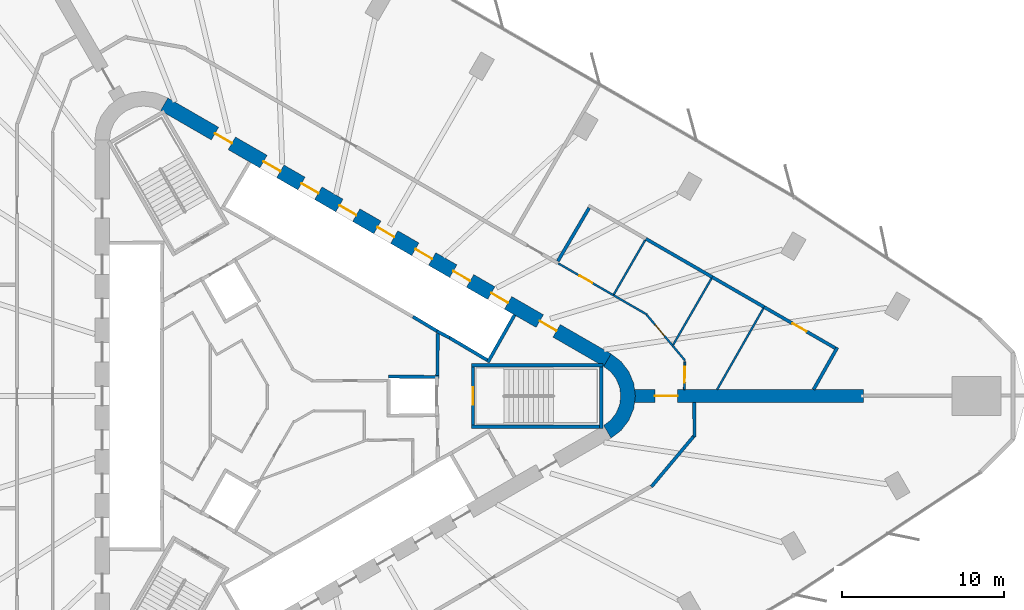
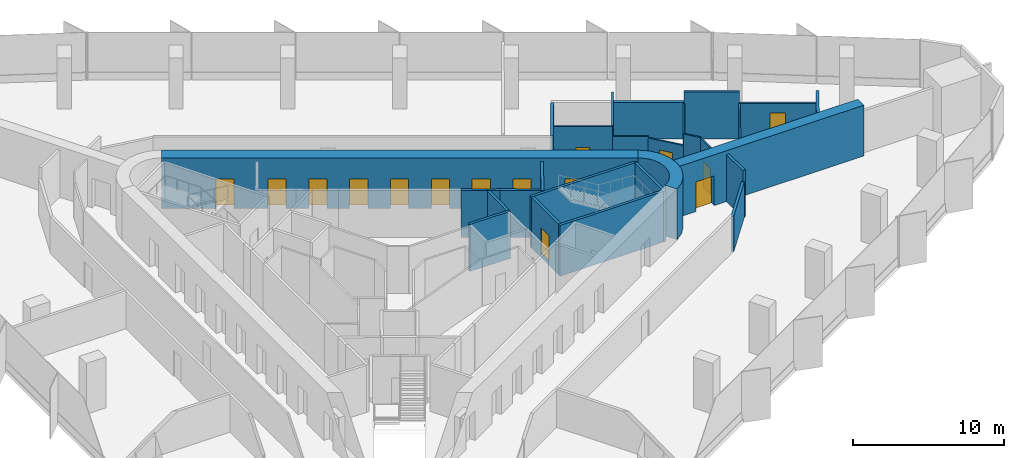
# One storey, part 12 of 14: 28 walls, 15 doors, 15 openings.
"""IFC4 building model written with IfcOpenShell, lengths in metres."""

from ifc_helpers import new_model, si_unit, direction, frame, frame_2d, origin, place, context, subcontext, project, spatial, polyline, rectangle, outline, extrude, material, layer, layer_set, type_object, element, fill, save


model = new_model("IFC4")

# Units and contexts
model_context = context("Model", 3, precision=1e-05, world=origin(), true_north=direction((0.0, 1.0)))
body_context = subcontext(model_context, "Body", "Model", "MODEL_VIEW")
ifc_project = project(units=[si_unit("LENGTHUNIT", "METRE"), si_unit("AREAUNIT", "SQUARE_METRE"), si_unit("VOLUMEUNIT", "CUBIC_METRE"), si_unit("PLANEANGLEUNIT", "RADIAN"), si_unit("MASSUNIT", "GRAM", prefix="KILO")], contexts=[model_context])

# Site, building, storey
site_placement = place(None, origin())
site = spatial("IfcSite", under=ifc_project, at=site_placement, CompositionType="ELEMENT")
building_placement = place(site_placement, origin())
building = spatial("IfcBuilding", under=site, at=building_placement, Name="Tanit Gate Tower", CompositionType="ELEMENT")
storey_placement = place(building_placement, frame((0.0, 0.0, 45.5)))
storey = spatial("IfcBuildingStorey", under=building, at=storey_placement, Name="L07", CompositionType="ELEMENT", Elevation=45.5)

# Wall, opening, door
ifc_material_1 = material(Name="Concrete C60/75", Category="concrete")
ifc_layer_1 = layer(ifc_material_1, 0.800048828125)
ifc_layer_set_1 = layer_set([ifc_layer_1], Name="BUTTRESS FIN 800 C60/75")
wall_type_1 = type_object("IfcWallType", Name="BUTTRESS FIN 800 C60/75", PredefinedType="SHEAR", material=ifc_layer_set_1)
wall_1_placement = place(storey_placement, frame((21.14990234375, 0.0, 0.0), z_axis=(0.0, 0.0, 1.0), x_axis=(1.0, 0.0, 0.0)))
wall_1 = element("IfcWall", 1, at=wall_1_placement, inside=storey, type_object=wall_type_1, Name="BUTTRESS FIN", PredefinedType="SHEAR", context=body_context, shape_type="SweptSolid", body=[
    extrude(rectangle(XDim=14.09814453125, YDim=0.800048828125, at=frame_2d((7.049072265625, 0.0))), origin(), (0.0, 0.0, 1.0), 4.10009765625),
])
opening_1_placement = place(wall_1_placement, frame((1.25, 0.0, 0.0)))
opening_1 = element("IfcOpeningElement", 2, at=opening_1_placement, cuts=wall_1, Name="Opening P14-S00-F-E-1", PredefinedType="OPENING", context=body_context, shape_type="SweptSolid", body=[
    extrude(rectangle(XDim=1.39990234375, YDim=2.39990234375, at=frame_2d((0.699951171875, 1.199951171875))), frame((0.0, 0.41015625, 0.0), z_axis=(0.0, -1.0, 0.0), x_axis=(1.0, 0.0, 0.0)), (0.0, 0.0, 1.0), 0.820068359375),
])
ifc_material_2 = material(Name="Timber door leaf", Category="wood")
door_type_1 = type_object("IfcDoorType", Name="INT-DOOR-FIN-PAIR-1400", OperationType="NOTDEFINED", PredefinedType="NOTDEFINED", material=ifc_material_2)
door_1_placement = place(opening_1_placement, origin())
door_1 = element("IfcDoor", 3, at=door_1_placement, inside=storey, type_object=door_type_1, Name="Door P14-S00-F-E-1", OperationType="DOUBLE_DOOR_SINGLE_SWING", OverallHeight=2.39990234375, OverallWidth=1.39990234375, PredefinedType="NOTDEFINED", context=body_context, shape_type="SweptSolid", body=[
    extrude(rectangle(XDim=1.39990234375, YDim=2.39990234375, at=frame_2d((0.699951171875, 1.199951171875))), frame((0.0, 0.02490234375, 0.0), z_axis=(0.0, -1.0, 0.0), x_axis=(1.0, 0.0, 0.0)), (0.0, 0.0, 1.0), 0.050048828125),
])
fill(opening_1, door_1)

# Wall, openings, doors
ifc_material_3 = material(Name="Concrete C60/75", Category="concrete")
ifc_layer_2 = layer(ifc_material_3, 0.89990234375)
ifc_layer_set_2 = layer_set([ifc_layer_2], Name="CORE WALL 900 C60/75")
wall_type_2 = type_object("IfcWallType", Name="CORE WALL 900 C60/75", PredefinedType="SHEAR", material=ifc_layer_set_2)
wall_2_placement = place(storey_placement, frame((19.47509765625, 2.20849609375, 0.0), z_axis=(0.0, 0.0, 1.0), x_axis=(-0.866028369851, 0.499994862586, 0.0)))
wall_2 = element("IfcWall", 4, at=wall_2_placement, inside=storey, type_object=wall_type_2, Name="CORE WALL", PredefinedType="SHEAR", context=body_context, shape_type="SweptSolid", body=[
    extrude(rectangle(XDim=31.523193359375, YDim=0.89990234375, at=frame_2d((15.76171875, 0.0))), origin(), (0.0, 0.0, 1.0), 4.10009765625),
])
opening_2_placement = place(wall_2_placement, frame((7.0615234375, 0.0, 0.0)))
opening_2 = element("IfcOpeningElement", 5, at=opening_2_placement, cuts=wall_2, Name="Opening LDLL8-S00", PredefinedType="OPENING", context=body_context, shape_type="SweptSolid", body=[
    extrude(rectangle(XDim=1.199951171875, YDim=2.39990234375, at=frame_2d((0.60009765625, 1.199951171875))), frame((0.0, 0.4599609375, 0.0), z_axis=(0.0, -1.0, 0.0), x_axis=(1.0, 0.0, 0.0)), (0.0, 0.0, 1.0), 0.919921875),
])
opening_3_placement = place(wall_2_placement, frame((9.76171875, 0.0, 0.0)))
opening_3 = element("IfcOpeningElement", 6, at=opening_3_placement, cuts=wall_2, Name="Opening LDLL9-S00", PredefinedType="OPENING", context=body_context, shape_type="SweptSolid", body=[
    extrude(rectangle(XDim=1.199951171875, YDim=2.39990234375, at=frame_2d((0.60009765625, 1.199951171875))), frame((0.0, 0.4599609375, 0.0), z_axis=(0.0, -1.0, 0.0), x_axis=(1.0, 0.0, 0.0)), (0.0, 0.0, 1.0), 0.919921875),
])
opening_4_placement = place(wall_2_placement, frame((12.461669921875, 0.0, 0.0)))
opening_4 = element("IfcOpeningElement", 7, at=opening_4_placement, cuts=wall_2, Name="Opening LDLL10-S00", PredefinedType="OPENING", context=body_context, shape_type="SweptSolid", body=[
    extrude(rectangle(XDim=1.199951171875, YDim=2.39990234375, at=frame_2d((0.60009765625, 1.199951171875))), frame((0.0, 0.4599609375, 0.0), z_axis=(0.0, -1.0, 0.0), x_axis=(1.0, 0.0, 0.0)), (0.0, 0.0, 1.0), 0.919921875),
])
opening_5_placement = place(wall_2_placement, frame((15.16162109375, 0.0, 0.0)))
opening_5 = element("IfcOpeningElement", 8, at=opening_5_placement, cuts=wall_2, Name="Opening LDSL1-S00", PredefinedType="OPENING", context=body_context, shape_type="SweptSolid", body=[
    extrude(rectangle(XDim=1.199951171875, YDim=2.39990234375, at=frame_2d((0.60009765625, 1.199951171875))), frame((0.0, 0.4599609375, 0.0), z_axis=(0.0, -1.0, 0.0), x_axis=(1.0, 0.0, 0.0)), (0.0, 0.0, 1.0), 0.919921875),
])
opening_6_placement = place(wall_2_placement, frame((17.861572265625, 0.0, 0.0)))
opening_6 = element("IfcOpeningElement", 9, at=opening_6_placement, cuts=wall_2, Name="Opening LDSL2-S00", PredefinedType="OPENING", context=body_context, shape_type="SweptSolid", body=[
    extrude(rectangle(XDim=1.199951171875, YDim=2.39990234375, at=frame_2d((0.60009765625, 1.199951171875))), frame((0.0, 0.4599609375, 0.0), z_axis=(0.0, -1.0, 0.0), x_axis=(1.0, 0.0, 0.0)), (0.0, 0.0, 1.0), 0.919921875),
])
opening_7_placement = place(wall_2_placement, frame((20.5615234375, 0.0, 0.0)))
opening_7 = element("IfcOpeningElement", 10, at=opening_7_placement, cuts=wall_2, Name="Opening LDSL3-S00", PredefinedType="OPENING", context=body_context, shape_type="SweptSolid", body=[
    extrude(rectangle(XDim=1.199951171875, YDim=2.39990234375, at=frame_2d((0.60009765625, 1.199951171875))), frame((0.0, 0.4599609375, 0.0), z_axis=(0.0, -1.0, 0.0), x_axis=(1.0, 0.0, 0.0)), (0.0, 0.0, 1.0), 0.919921875),
])
opening_8_placement = place(wall_2_placement, frame((23.26171875, 0.0, 0.0)))
opening_8 = element("IfcOpeningElement", 11, at=opening_8_placement, cuts=wall_2, Name="Opening LDSL4-S00", PredefinedType="OPENING", context=body_context, shape_type="SweptSolid", body=[
    extrude(rectangle(XDim=1.199951171875, YDim=2.39990234375, at=frame_2d((0.60009765625, 1.199951171875))), frame((0.0, 0.4599609375, 0.0), z_axis=(0.0, -1.0, 0.0), x_axis=(1.0, 0.0, 0.0)), (0.0, 0.0, 1.0), 0.919921875),
])
opening_9_placement = place(wall_2_placement, frame((3.611572265625, 0.0, 0.0)))
opening_9 = element("IfcOpeningElement", 12, at=opening_9_placement, cuts=wall_2, Name="Opening F12-S00-FL1", PredefinedType="OPENING", context=body_context, shape_type="SweptSolid", body=[
    extrude(rectangle(XDim=1.199951171875, YDim=2.39990234375, at=frame_2d((0.60009765625, 1.199951171875))), frame((0.0, 0.4599609375, 0.0), z_axis=(0.0, -1.0, 0.0), x_axis=(1.0, 0.0, 0.0)), (0.0, 0.0, 1.0), 0.919921875),
])
opening_10_placement = place(wall_2_placement, frame((26.711669921875, 0.0, 0.0)))
opening_10 = element("IfcOpeningElement", 13, at=opening_10_placement, cuts=wall_2, Name="Opening F12-S00-S2", PredefinedType="OPENING", context=body_context, shape_type="SweptSolid", body=[
    extrude(rectangle(XDim=1.199951171875, YDim=2.39990234375, at=frame_2d((0.60009765625, 1.199951171875))), frame((0.0, 0.4599609375, 0.0), z_axis=(0.0, -1.0, 0.0), x_axis=(1.0, 0.0, 0.0)), (0.0, 0.0, 1.0), 0.919921875),
])
ifc_material_4 = material(Name="Fire-rated steel door leaf", Category="steel")
door_type_2 = type_object("IfcDoorType", Name="INT-DOOR-FIRE-LOBBY-1200", OperationType="NOTDEFINED", PredefinedType="USERDEFINED", material=ifc_material_4)
door_2_placement = place(opening_9_placement, origin())
door_2 = element("IfcDoor", 14, at=door_2_placement, inside=storey, type_object=door_type_2, Name="Door F12-S00-FL1", ObjectType="FIRE DOOR", OperationType="SINGLE_SWING_LEFT", OverallHeight=2.39990234375, OverallWidth=1.199951171875, PredefinedType="USERDEFINED", context=body_context, shape_type="SweptSolid", body=[
    extrude(rectangle(XDim=1.199951171875, YDim=2.39990234375, at=frame_2d((0.60009765625, 1.199951171875))), frame((0.0, 0.02490234375, 0.0), z_axis=(0.0, -1.0, 0.0), x_axis=(1.0, 0.0, 0.0)), (0.0, 0.0, 1.0), 0.050048828125),
])
fill(opening_9, door_2)
door_3_placement = place(opening_10_placement, origin())
door_3 = element("IfcDoor", 15, at=door_3_placement, inside=storey, type_object=door_type_2, Name="Door F12-S00-S2", ObjectType="FIRE DOOR", OperationType="SINGLE_SWING_RIGHT", OverallHeight=2.39990234375, OverallWidth=1.199951171875, PredefinedType="USERDEFINED", context=body_context, shape_type="SweptSolid", body=[
    extrude(rectangle(XDim=1.199951171875, YDim=2.39990234375, at=frame_2d((0.60009765625, 1.199951171875))), frame((0.0, 0.02490234375, 0.0), z_axis=(0.0, -1.0, 0.0), x_axis=(1.0, 0.0, 0.0)), (0.0, 0.0, 1.0), 0.050048828125),
])
fill(opening_10, door_3)
ifc_material_5 = material(Name="Stainless steel sliding door leaf", Category="steel")
door_type_3 = type_object("IfcDoorType", Name="INT-DOOR-LANDING-1200", OperationType="NOTDEFINED", PredefinedType="USERDEFINED", material=ifc_material_5)
door_4_placement = place(opening_2_placement, origin())
door_4 = element("IfcDoor", 16, at=door_4_placement, inside=storey, type_object=door_type_3, Name="Door LDLL8-S00", ObjectType="LANDING DOOR", OperationType="SLIDING_TO_LEFT", OverallHeight=2.39990234375, OverallWidth=1.199951171875, PredefinedType="USERDEFINED", context=body_context, shape_type="SweptSolid", body=[
    extrude(rectangle(XDim=1.199951171875, YDim=2.39990234375, at=frame_2d((0.60009765625, 1.199951171875))), frame((0.0, 0.02490234375, 0.0), z_axis=(0.0, -1.0, 0.0), x_axis=(1.0, 0.0, 0.0)), (0.0, 0.0, 1.0), 0.050048828125),
])
fill(opening_2, door_4)
door_5_placement = place(opening_3_placement, origin())
door_5 = element("IfcDoor", 17, at=door_5_placement, inside=storey, type_object=door_type_3, Name="Door LDLL9-S00", ObjectType="LANDING DOOR", OperationType="SLIDING_TO_LEFT", OverallHeight=2.39990234375, OverallWidth=1.199951171875, PredefinedType="USERDEFINED", context=body_context, shape_type="SweptSolid", body=[
    extrude(rectangle(XDim=1.199951171875, YDim=2.39990234375, at=frame_2d((0.60009765625, 1.199951171875))), frame((0.0, 0.02490234375, 0.0), z_axis=(0.0, -1.0, 0.0), x_axis=(1.0, 0.0, 0.0)), (0.0, 0.0, 1.0), 0.050048828125),
])
fill(opening_3, door_5)
door_6_placement = place(opening_4_placement, origin())
door_6 = element("IfcDoor", 18, at=door_6_placement, inside=storey, type_object=door_type_3, Name="Door LDLL10-S00", ObjectType="LANDING DOOR", OperationType="SLIDING_TO_LEFT", OverallHeight=2.39990234375, OverallWidth=1.199951171875, PredefinedType="USERDEFINED", context=body_context, shape_type="SweptSolid", body=[
    extrude(rectangle(XDim=1.199951171875, YDim=2.39990234375, at=frame_2d((0.60009765625, 1.199951171875))), frame((0.0, 0.02490234375, 0.0), z_axis=(0.0, -1.0, 0.0), x_axis=(1.0, 0.0, 0.0)), (0.0, 0.0, 1.0), 0.050048828125),
])
fill(opening_4, door_6)
door_7_placement = place(opening_5_placement, origin())
door_7 = element("IfcDoor", 19, at=door_7_placement, inside=storey, type_object=door_type_3, Name="Door LDSL1-S00", ObjectType="LANDING DOOR", OperationType="SLIDING_TO_LEFT", OverallHeight=2.39990234375, OverallWidth=1.199951171875, PredefinedType="USERDEFINED", context=body_context, shape_type="SweptSolid", body=[
    extrude(rectangle(XDim=1.199951171875, YDim=2.39990234375, at=frame_2d((0.60009765625, 1.199951171875))), frame((0.0, 0.02490234375, 0.0), z_axis=(0.0, -1.0, 0.0), x_axis=(1.0, 0.0, 0.0)), (0.0, 0.0, 1.0), 0.050048828125),
])
fill(opening_5, door_7)
door_8_placement = place(opening_6_placement, origin())
door_8 = element("IfcDoor", 20, at=door_8_placement, inside=storey, type_object=door_type_3, Name="Door LDSL2-S00", ObjectType="LANDING DOOR", OperationType="SLIDING_TO_LEFT", OverallHeight=2.39990234375, OverallWidth=1.199951171875, PredefinedType="USERDEFINED", context=body_context, shape_type="SweptSolid", body=[
    extrude(rectangle(XDim=1.199951171875, YDim=2.39990234375, at=frame_2d((0.60009765625, 1.199951171875))), frame((0.0, 0.02490234375, 0.0), z_axis=(0.0, -1.0, 0.0), x_axis=(1.0, 0.0, 0.0)), (0.0, 0.0, 1.0), 0.050048828125),
])
fill(opening_6, door_8)
door_9_placement = place(opening_7_placement, origin())
door_9 = element("IfcDoor", 21, at=door_9_placement, inside=storey, type_object=door_type_3, Name="Door LDSL3-S00", ObjectType="LANDING DOOR", OperationType="SLIDING_TO_LEFT", OverallHeight=2.39990234375, OverallWidth=1.199951171875, PredefinedType="USERDEFINED", context=body_context, shape_type="SweptSolid", body=[
    extrude(rectangle(XDim=1.199951171875, YDim=2.39990234375, at=frame_2d((0.60009765625, 1.199951171875))), frame((0.0, 0.02490234375, 0.0), z_axis=(0.0, -1.0, 0.0), x_axis=(1.0, 0.0, 0.0)), (0.0, 0.0, 1.0), 0.050048828125),
])
fill(opening_7, door_9)
door_10_placement = place(opening_8_placement, origin())
door_10 = element("IfcDoor", 22, at=door_10_placement, inside=storey, type_object=door_type_3, Name="Door LDSL4-S00", ObjectType="LANDING DOOR", OperationType="SLIDING_TO_LEFT", OverallHeight=2.39990234375, OverallWidth=1.199951171875, PredefinedType="USERDEFINED", context=body_context, shape_type="SweptSolid", body=[
    extrude(rectangle(XDim=1.199951171875, YDim=2.39990234375, at=frame_2d((0.60009765625, 1.199951171875))), frame((0.0, 0.02490234375, 0.0), z_axis=(0.0, -1.0, 0.0), x_axis=(1.0, 0.0, 0.0)), (0.0, 0.0, 1.0), 0.050048828125),
])
fill(opening_8, door_10)

# Walls
wall_3_placement = place(storey_placement, origin())
element("IfcWall", 23, at=wall_3_placement, inside=storey, type_object=wall_type_2, Name="CORE WALL CORNER", PredefinedType="SHEAR", context=body_context, shape_type="SweptSolid", body=[
    extrude(outline(polyline([(19.699951171875, -2.59814453125), (20.3212890625, -2.121337890625), (20.798095703125, -1.5), (21.097900390625, -0.776611328125), (21.199951171875, 0.0), (21.097900390625, 0.776611328125), (20.798095703125, 1.5), (20.3212890625, 2.121337890625), (19.699951171875, 2.59814453125), (19.25, 1.818603515625), (19.684814453125, 1.48486328125), (20.018798828125, 1.050048828125), (20.228515625, 0.54345703125), (20.300048828125, 0.0), (20.228515625, -0.54345703125), (20.018798828125, -1.050048828125), (19.684814453125, -1.48486328125), (19.25, -1.818603515625), (19.699951171875, -2.59814453125)])), origin(), (0.0, 0.0, 1.0), 4.10009765625),
])
ifc_material_6 = material(Name="Fire-rated gypsum board partition")
ifc_layer_3 = layer(ifc_material_6, 0.199951171875)
ifc_layer_set_3 = layer_set([ifc_layer_3], Name="INT-WALL-COMPARTMENT")
wall_type_3 = type_object("IfcWallType", Name="INT-WALL-COMPARTMENT", PredefinedType="PARTITIONING", material=ifc_layer_set_3)
wall_4_placement = place(storey_placement, frame((9.0009765625, 1.27001953125, 0.0), z_axis=(0.0, 0.0, 1.0), x_axis=(0.010784614026, 0.999941844359, 0.0)))
element("IfcWall", 24, at=wall_4_placement, inside=storey, type_object=wall_type_3, Name="Wall Compartment W059", PredefinedType="PARTITIONING", context=body_context, shape_type="SweptSolid", body=[
    extrude(rectangle(XDim=2.580810546875, YDim=0.199951171875, at=frame_2d((1.29052734375, 0.0))), origin(), (0.0, 0.0, 1.0), 3.800048828125),
])
wall_5_placement = place(storey_placement, frame((24.84765625, -2.53515625, 0.0), z_axis=(0.0, 0.0, 1.0), x_axis=(-0.012347560796, 0.999923765965, 0.0)))
element("IfcWall", 25, at=wall_5_placement, inside=storey, type_object=wall_type_3, Name="Wall Compartment W109", PredefinedType="PARTITIONING", context=body_context, shape_type="SweptSolid", body=[
    extrude(rectangle(XDim=2.135498046875, YDim=0.199951171875, at=frame_2d((1.06787109375, 0.0))), origin(), (0.0, 0.0, 1.0), 3.800048828125),
])
wall_6_placement = place(storey_placement, frame((22.184814453125, -5.5908203125, 0.0), z_axis=(0.0, 0.0, 1.0), x_axis=(0.642774966428, 0.766055051894, 0.0)))
element("IfcWall", 26, at=wall_6_placement, inside=storey, type_object=wall_type_3, Name="Wall Compartment W110", PredefinedType="PARTITIONING", context=body_context, shape_type="SweptSolid", body=[
    extrude(rectangle(XDim=4.091552734375, YDim=0.199951171875, at=frame_2d((2.0458984375, 0.0))), origin(), (0.0, 0.0, 1.0), 2.8798828125),
])
wall_7_placement = place(storey_placement, frame((21.849853515625, 9.682373046875, 0.0), z_axis=(0.0, 0.0, 1.0), x_axis=(0.866018431725, -0.500012075767, 0.0)))
element("IfcWall", 27, at=wall_7_placement, inside=storey, type_object=wall_type_3, Name="Wall Compartment W126", PredefinedType="PARTITIONING", context=body_context, shape_type="SweptSolid", body=[
    extrude(rectangle(XDim=4.71875, YDim=0.199951171875, at=frame_2d((2.359375, 0.0))), origin(), (0.0, 0.0, 1.0), 2.97998046875),
])
wall_8_placement = place(storey_placement, frame((25.936279296875, 7.322998046875, 0.0), z_axis=(0.0, 0.0, 1.0), x_axis=(0.866035727774, -0.499982117899, 0.0)))
element("IfcWall", 28, at=wall_8_placement, inside=storey, type_object=wall_type_3, Name="Wall Compartment W127", PredefinedType="PARTITIONING", context=body_context, shape_type="SweptSolid", body=[
    extrude(rectangle(XDim=3.689697265625, YDim=0.199951171875, at=frame_2d((1.8447265625, 0.0))), origin(), (0.0, 0.0, 1.0), 3.800048828125),
])

# Wall, opening, door
wall_9_placement = place(storey_placement, frame((29.131591796875, 5.478271484375, 0.0), z_axis=(0.0, 0.0, 1.0), x_axis=(0.866009287374, -0.500027913402, 0.0)))
wall_9 = element("IfcWall", 29, at=wall_9_placement, inside=storey, type_object=wall_type_3, Name="Wall Compartment W129", PredefinedType="PARTITIONING", context=body_context, shape_type="SweptSolid", body=[
    extrude(rectangle(XDim=5.050537109375, YDim=0.199951171875, at=frame_2d((2.525390625, 0.0))), origin(), (0.0, 0.0, 1.0), 2.8798828125),
])
opening_11_placement = place(wall_9_placement, frame((2.025390625, 0.0, 0.0)))
opening_11 = element("IfcOpeningElement", 30, at=opening_11_placement, cuts=wall_9, Name="Opening F10-S00-20", PredefinedType="OPENING", context=body_context, shape_type="SweptSolid", body=[
    extrude(rectangle(XDim=1.0, YDim=2.10009765625, at=frame_2d((0.5, 1.050048828125))), frame((0.0, 0.10986328125, 0.0), z_axis=(0.0, -1.0, 0.0), x_axis=(1.0, 0.0, 0.0)), (0.0, 0.0, 1.0), 0.219970703125),
])
ifc_material_7 = material(Name="Fire-rated steel door leaf", Category="steel")
door_type_4 = type_object("IfcDoorType", Name="INT-DOOR-FIRE-1000", OperationType="NOTDEFINED", PredefinedType="USERDEFINED", material=ifc_material_7)
door_11_placement = place(opening_11_placement, origin())
door_11 = element("IfcDoor", 31, at=door_11_placement, inside=storey, type_object=door_type_4, Name="Door F10-S00-20", ObjectType="FIRE DOOR", OperationType="SINGLE_SWING_LEFT", OverallHeight=2.10009765625, OverallWidth=1.0, PredefinedType="USERDEFINED", context=body_context, shape_type="SweptSolid", body=[
    extrude(rectangle(XDim=1.0, YDim=2.10009765625, at=frame_2d((0.5, 1.050048828125))), frame((0.0, 0.02490234375, 0.0), z_axis=(0.0, -1.0, 0.0), x_axis=(1.0, 0.0, 0.0)), (0.0, 0.0, 1.0), 0.050048828125),
])
fill(opening_11, door_11)

# Walls
wall_10_placement = place(storey_placement, frame((18.351318359375, 11.586669921875, 0.0), z_axis=(0.0, 0.0, 1.0), x_axis=(-0.506482355277, -0.862250325482, 0.0)))
element("IfcWall", 32, at=wall_10_placement, inside=storey, type_object=wall_type_3, Name="Wall Compartment W125", PredefinedType="PARTITIONING", context=body_context, shape_type="SweptSolid", body=[
    extrude(rectangle(XDim=3.81005859375, YDim=0.199951171875, at=frame_2d((1.905029296875, 0.0))), origin(), (0.0, 0.0, 1.0), 2.97998046875),
])
wall_11_placement = place(storey_placement, frame((32.1767578125, 0.39990234375, 0.0), z_axis=(0.0, 0.0, 1.0), x_axis=(0.492157292939, 0.870506288895, 0.0)))
element("IfcWall", 33, at=wall_11_placement, inside=storey, type_object=wall_type_3, Name="Wall Compartment W128", PredefinedType="PARTITIONING", context=body_context, shape_type="SweptSolid", body=[
    extrude(rectangle(XDim=2.975341796875, YDim=0.199951171875, at=frame_2d((1.48779296875, 0.0))), origin(), (0.0, 0.0, 1.0), 3.800048828125),
])
ifc_material_8 = material(Name="Gypsum board partition")
ifc_layer_4 = layer(ifc_material_8, 0.1201171875)
ifc_layer_set_4 = layer_set([ifc_layer_4], Name="INT-WALL-PARTITION")
wall_type_4 = type_object("IfcWallType", Name="INT-WALL-PARTITION", PredefinedType="PARTITIONING", material=ifc_layer_set_4)
wall_12_placement = place(storey_placement, frame((21.909423828125, 5.017578125, 0.0), z_axis=(0.0, 0.0, 1.0), x_axis=(-0.866054279967, 0.499949981648, 0.0)))
element("IfcWall", 34, at=wall_12_placement, inside=storey, type_object=wall_type_4, Name="Wall Partition W105", PredefinedType="PARTITIONING", context=body_context, shape_type="SweptSolid", body=[
    extrude(rectangle(XDim=2.384033203125, YDim=0.1201171875, at=frame_2d((1.19189453125, 0.0))), origin(), (0.0, 0.0, 1.0), 2.97998046875),
])

# Wall, opening, door
wall_13_placement = place(storey_placement, frame((19.8447265625, 6.20947265625, 0.0), z_axis=(0.0, 0.0, 1.0), x_axis=(-0.866002635216, 0.500039434245, 0.0)))
wall_13 = element("IfcWall", 35, at=wall_13_placement, inside=storey, type_object=wall_type_4, Name="Wall Partition W104", PredefinedType="PARTITIONING", context=body_context, shape_type="SweptSolid", body=[
    extrude(rectangle(XDim=3.911376953125, YDim=0.1201171875, at=frame_2d((1.95556640625, 0.0))), origin(), (0.0, 0.0, 1.0), 3.800048828125),
])
opening_12_placement = place(wall_13_placement, frame((1.505615234375, 0.0, 0.0)))
opening_12 = element("IfcOpeningElement", 36, at=opening_12_placement, cuts=wall_13, Name="Opening D09-S00-17", PredefinedType="OPENING", context=body_context, shape_type="SweptSolid", body=[
    extrude(rectangle(XDim=0.89990234375, YDim=2.10009765625, at=frame_2d((0.449951171875, 1.050048828125))), frame((0.0, 0.070068359375, 0.0), z_axis=(0.0, -1.0, 0.0), x_axis=(1.0, 0.0, 0.0)), (0.0, 0.0, 1.0), 0.14013671875),
])
ifc_material_9 = material(Name="Timber door leaf", Category="wood")
door_type_5 = type_object("IfcDoorType", Name="INT-DOOR-SINGLE-900", OperationType="NOTDEFINED", PredefinedType="NOTDEFINED", material=ifc_material_9)
door_12_placement = place(opening_12_placement, origin())
door_12 = element("IfcDoor", 37, at=door_12_placement, inside=storey, type_object=door_type_5, Name="Door D09-S00-17", OperationType="SINGLE_SWING_LEFT", OverallHeight=2.10009765625, OverallWidth=0.89990234375, PredefinedType="NOTDEFINED", context=body_context, shape_type="SweptSolid", body=[
    extrude(rectangle(XDim=0.89990234375, YDim=2.10009765625, at=frame_2d((0.449951171875, 1.050048828125))), frame((0.0, 0.02490234375, 0.0), z_axis=(0.0, -1.0, 0.0), x_axis=(1.0, 0.0, 0.0)), (0.0, 0.0, 1.0), 0.050048828125),
])
fill(opening_12, door_12)

# Wall
wall_14_placement = place(storey_placement, frame((24.260498046875, 2.18359375, 0.0), z_axis=(0.0, 0.0, 1.0), x_axis=(-0.642765036977, 0.766063383304, 0.0)))
element("IfcWall", 38, at=wall_14_placement, inside=storey, type_object=wall_type_4, Name="Wall Partition W107", PredefinedType="PARTITIONING", context=body_context, shape_type="SweptSolid", body=[
    extrude(rectangle(XDim=1.18017578125, YDim=0.1201171875, at=frame_2d((0.590087890625, 0.0))), origin(), (0.0, 0.0, 1.0), 3.800048828125),
])

# Wall, opening, door
wall_15_placement = place(storey_placement, frame((23.501953125, 3.087646484375, 0.0), z_axis=(0.0, 0.0, 1.0), x_axis=(-0.642756581794, 0.766070477541, 0.0)))
wall_15 = element("IfcWall", 39, at=wall_15_placement, inside=storey, type_object=wall_type_4, Name="Wall Partition W106", PredefinedType="PARTITIONING", context=body_context, shape_type="SweptSolid", body=[
    extrude(rectangle(XDim=2.49853515625, YDim=0.1201171875, at=frame_2d((1.249267578125, 0.0))), origin(), (0.0, 0.0, 1.0), 2.8798828125),
])
opening_13_placement = place(wall_15_placement, frame((0.79931640625, 0.0, 0.0)))
opening_13 = element("IfcOpeningElement", 40, at=opening_13_placement, cuts=wall_15, Name="Opening D09-S00-18", PredefinedType="OPENING", context=body_context, shape_type="SweptSolid", body=[
    extrude(rectangle(XDim=0.89990234375, YDim=2.10009765625, at=frame_2d((0.449951171875, 1.050048828125))), frame((0.0, 0.070068359375, 0.0), z_axis=(0.0, -1.0, 0.0), x_axis=(1.0, 0.0, 0.0)), (0.0, 0.0, 1.0), 0.14013671875),
])
door_13_placement = place(opening_13_placement, origin())
door_13 = element("IfcDoor", 41, at=door_13_placement, inside=storey, type_object=door_type_5, Name="Door D09-S00-18", OperationType="SINGLE_SWING_RIGHT", OverallHeight=2.10009765625, OverallWidth=0.89990234375, PredefinedType="NOTDEFINED", context=body_context, shape_type="SweptSolid", body=[
    extrude(rectangle(XDim=0.89990234375, YDim=2.10009765625, at=frame_2d((0.449951171875, 1.050048828125))), frame((0.0, 0.02490234375, 0.0), z_axis=(0.0, -1.0, 0.0), x_axis=(1.0, 0.0, 0.0)), (0.0, 0.0, 1.0), 0.050048828125),
])
fill(opening_13, door_13)

wall_16_placement = place(storey_placement, frame((24.2216796875, 0.39990234375, 0.0), z_axis=(0.0, 0.0, 1.0), x_axis=(0.013570178926, 0.999907920883, 0.0)))
wall_16 = element("IfcWall", 42, at=wall_16_placement, inside=storey, type_object=wall_type_4, Name="Wall Partition W108", PredefinedType="PARTITIONING", context=body_context, shape_type="SweptSolid", body=[
    extrude(rectangle(XDim=1.709228515625, YDim=0.1201171875, at=frame_2d((0.8544921875, 0.0))), origin(), (0.0, 0.0, 1.0), 3.800048828125),
])
opening_14_placement = place(wall_16_placement, frame((0.404541015625, 0.0, 0.0)))
opening_14 = element("IfcOpeningElement", 43, at=opening_14_placement, cuts=wall_16, Name="Opening D10-S00-19", PredefinedType="OPENING", context=body_context, shape_type="SweptSolid", body=[
    extrude(rectangle(XDim=1.0, YDim=2.10009765625, at=frame_2d((0.5, 1.050048828125))), frame((0.0, 0.070068359375, 0.0), z_axis=(0.0, -1.0, 0.0), x_axis=(1.0, 0.0, 0.0)), (0.0, 0.0, 1.0), 0.14013671875),
])
ifc_material_10 = material(Name="Timber door leaf", Category="wood")
door_type_6 = type_object("IfcDoorType", Name="INT-DOOR-SINGLE-1000", OperationType="NOTDEFINED", PredefinedType="NOTDEFINED", material=ifc_material_10)
door_14_placement = place(opening_14_placement, origin())
door_14 = element("IfcDoor", 44, at=door_14_placement, inside=storey, type_object=door_type_6, Name="Door D10-S00-19", OperationType="SINGLE_SWING_LEFT", OverallHeight=2.10009765625, OverallWidth=1.0, PredefinedType="NOTDEFINED", context=body_context, shape_type="SweptSolid", body=[
    extrude(rectangle(XDim=1.0, YDim=2.10009765625, at=frame_2d((0.5, 1.050048828125))), frame((0.0, 0.02490234375, 0.0), z_axis=(0.0, -1.0, 0.0), x_axis=(1.0, 0.0, 0.0)), (0.0, 0.0, 1.0), 0.050048828125),
])
fill(opening_14, door_14)

# Walls
wall_17_placement = place(storey_placement, frame((21.7998046875, 9.595703125, 0.0), z_axis=(0.0, 0.0, 1.0), x_axis=(-0.500006057782, -0.866021906294, 0.0)))
element("IfcWall", 45, at=wall_17_placement, inside=storey, type_object=wall_type_4, Name="Wall Partition W131", PredefinedType="PARTITIONING", context=body_context, shape_type="SweptSolid", body=[
    extrude(rectangle(XDim=3.85009765625, YDim=0.1201171875, at=frame_2d((1.925048828125, 0.0))), origin(), (0.0, 0.0, 1.0), 3.800048828125),
])
wall_18_placement = place(storey_placement, frame((25.88623046875, 7.236328125, 0.0), z_axis=(0.0, 0.0, 1.0), x_axis=(-0.500001678427, -0.866024434742, 0.0)))
element("IfcWall", 46, at=wall_18_placement, inside=storey, type_object=wall_type_4, Name="Wall Partition W132", PredefinedType="PARTITIONING", context=body_context, shape_type="SweptSolid", body=[
    extrude(rectangle(XDim=4.7177734375, YDim=0.1201171875, at=frame_2d((2.35888671875, 0.0))), origin(), (0.0, 0.0, 1.0), 2.8798828125),
])
wall_19_placement = place(storey_placement, frame((29.08203125, 5.391357421875, 0.0), z_axis=(0.0, 0.0, 1.0), x_axis=(-0.495278409735, -0.868734307398, 0.0)))
element("IfcWall", 47, at=wall_19_placement, inside=storey, type_object=wall_type_4, Name="Wall Partition W133", PredefinedType="PARTITIONING", context=body_context, shape_type="SweptSolid", body=[
    extrude(rectangle(XDim=5.74560546875, YDim=0.1201171875, at=frame_2d((2.872802734375, 0.0))), origin(), (0.0, 0.0, 1.0), 2.8798828125),
])
ifc_material_11 = material(Name="Gypsum shaft wall system")
ifc_layer_5 = layer(ifc_material_11, 0.199951171875)
ifc_layer_set_5 = layer_set([ifc_layer_5], Name="INT-WALL-SHAFT")
wall_type_5 = type_object("IfcWallType", Name="INT-WALL-SHAFT", PredefinedType="PLUMBINGWALL", material=ifc_layer_set_5)
wall_20_placement = place(storey_placement, frame((12.10986328125, 2.07275390625, 0.0), z_axis=(0.0, 0.0, 1.0), x_axis=(0.49196600604, 0.870614408852, 0.0)))
element("IfcWall", 48, at=wall_20_placement, inside=storey, type_object=wall_type_5, Name="Wall Shaft W013", PredefinedType="PLUMBINGWALL", context=body_context, shape_type="SweptSolid", body=[
    extrude(rectangle(XDim=3.35009765625, YDim=0.199951171875, at=frame_2d((1.675048828125, 0.0))), origin(), (0.0, 0.0, 1.0), 3.800048828125),
])
wall_21_placement = place(storey_placement, frame((12.072998046875, 2.2109375, 0.0), z_axis=(0.0, 0.0, 1.0), x_axis=(-0.860438357912, 0.509554542943, 0.0)))
element("IfcWall", 49, at=wall_21_placement, inside=storey, type_object=wall_type_5, Name="Wall Shaft W014", PredefinedType="PLUMBINGWALL", context=body_context, shape_type="SweptSolid", body=[
    extrude(rectangle(XDim=2.700439453125, YDim=0.199951171875, at=frame_2d((1.35009765625, 0.0))), origin(), (0.0, 0.0, 1.0), 3.800048828125),
])
wall_22_placement = place(storey_placement, frame((9.74755859375, 3.583251953125, 0.0), z_axis=(0.0, 0.0, 1.0), x_axis=(-0.880917147855, 0.473270513147, 0.0)))
element("IfcWall", 50, at=wall_22_placement, inside=storey, type_object=wall_type_5, Name="Wall Shaft W015", PredefinedType="PLUMBINGWALL", context=body_context, shape_type="SweptSolid", body=[
    extrude(rectangle(XDim=0.8779296875, YDim=0.199951171875, at=frame_2d((0.43896484375, 0.0))), origin(), (0.0, 0.0, 1.0), 3.800048828125),
])
wall_23_placement = place(storey_placement, frame((9.0791015625, 3.93701171875, 0.0), z_axis=(0.0, 0.0, 1.0), x_axis=(-0.857516281273, 0.51445682749, 0.0)))
element("IfcWall", 51, at=wall_23_placement, inside=storey, type_object=wall_type_5, Name="Wall Shaft W016", PredefinedType="PLUMBINGWALL", context=body_context, shape_type="SweptSolid", body=[
    extrude(rectangle(XDim=1.8447265625, YDim=0.199951171875, at=frame_2d((0.92236328125, 0.0))), origin(), (0.0, 0.0, 1.0), 3.800048828125),
])
wall_24_placement = place(storey_placement, frame((6.0, 1.199951171875, 0.0), z_axis=(0.0, 0.0, 1.0), x_axis=(0.999949988, -0.010001074852, 0.0)))
element("IfcWall", 52, at=wall_24_placement, inside=storey, type_object=wall_type_5, Name="Wall Shaft W038", PredefinedType="PLUMBINGWALL", context=body_context, shape_type="SweptSolid", body=[
    extrude(rectangle(XDim=3.100341796875, YDim=0.199951171875, at=frame_2d((1.55029296875, 0.0))), origin(), (0.0, 0.0, 1.0), 3.800048828125),
])
ifc_material_12 = material(Name="Concrete C40/50", Category="concrete")
ifc_layer_6 = layer(ifc_material_12, 0.199951171875)
ifc_layer_set_6 = layer_set([ifc_layer_6], Name="INT-WALL-STAIR")
wall_type_6 = type_object("IfcWallType", Name="INT-WALL-STAIR", PredefinedType="SHEAR", material=ifc_layer_set_6)
wall_25_placement = place(storey_placement, frame((19.199951171875, 1.89990234375, -0.300048828125), z_axis=(0.0, 0.0, 1.0), x_axis=(-1.0, 0.0, 0.0)))
element("IfcWall", 53, at=wall_25_placement, inside=storey, type_object=wall_type_6, Name="Wall Stair W033", PredefinedType="SHEAR", context=body_context, shape_type="SweptSolid", body=[
    extrude(rectangle(XDim=8.099853515625, YDim=0.199951171875, at=frame_2d((4.0498046875, 0.0))), origin(), (0.0, 0.0, 1.0), 4.10009765625),
])
wall_26_placement = place(storey_placement, frame((19.10009765625, -2.0, -0.300048828125), z_axis=(0.0, 0.0, 1.0), x_axis=(0.0, 1.0, 0.0)))
element("IfcWall", 54, at=wall_26_placement, inside=storey, type_object=wall_type_6, Name="Wall Stair W034", PredefinedType="SHEAR", context=body_context, shape_type="SweptSolid", body=[
    extrude(rectangle(XDim=3.800048828125, YDim=0.199951171875, at=frame_2d((1.89990234375, 0.0))), origin(), (0.0, 0.0, 1.0), 4.10009765625),
])
wall_27_placement = place(storey_placement, frame((11.10009765625, -1.89990234375, -0.300048828125), z_axis=(0.0, 0.0, 1.0), x_axis=(1.0, 0.0, 0.0)))
element("IfcWall", 55, at=wall_27_placement, inside=storey, type_object=wall_type_6, Name="Wall Stair W035", PredefinedType="SHEAR", context=body_context, shape_type="SweptSolid", body=[
    extrude(rectangle(XDim=7.89990234375, YDim=0.199951171875, at=frame_2d((3.949951171875, 0.0))), origin(), (0.0, 0.0, 1.0), 4.10009765625),
])

# Wall, opening, door
wall_28_placement = place(storey_placement, frame((11.199951171875, -1.800048828125, -0.300048828125), z_axis=(0.0, 0.0, 1.0), x_axis=(0.0, 1.0, 0.0)))
wall_28 = element("IfcWall", 56, at=wall_28_placement, inside=storey, type_object=wall_type_6, Name="Wall Stair W036", PredefinedType="SHEAR", context=body_context, shape_type="SweptSolid", body=[
    extrude(rectangle(XDim=3.60009765625, YDim=0.199951171875, at=frame_2d((1.800048828125, 0.0))), origin(), (0.0, 0.0, 1.0), 4.10009765625),
])
opening_15_placement = place(wall_28_placement, frame((1.25, 0.0, 0.300048828125)))
opening_15 = element("IfcOpeningElement", 57, at=opening_15_placement, cuts=wall_28, Name="Opening S11-S00-01", PredefinedType="OPENING", context=body_context, shape_type="SweptSolid", body=[
    extrude(rectangle(XDim=1.10009765625, YDim=2.10009765625, at=frame_2d((0.550048828125, 1.050048828125))), frame((0.0, 0.10986328125, 0.0), z_axis=(0.0, -1.0, 0.0), x_axis=(1.0, 0.0, 0.0)), (0.0, 0.0, 1.0), 0.219970703125),
])
ifc_material_13 = material(Name="Timber door leaf", Category="wood")
door_type_7 = type_object("IfcDoorType", Name="INT-DOOR-STAIR-1100", OperationType="NOTDEFINED", PredefinedType="USERDEFINED", material=ifc_material_13)
door_15_placement = place(opening_15_placement, origin())
door_15 = element("IfcDoor", 58, at=door_15_placement, inside=storey, type_object=door_type_7, Name="Door S11-S00-01", ObjectType="FIRE DOOR", OperationType="SINGLE_SWING_LEFT", OverallHeight=2.10009765625, OverallWidth=1.10009765625, PredefinedType="USERDEFINED", context=body_context, shape_type="SweptSolid", body=[
    extrude(rectangle(XDim=1.10009765625, YDim=2.10009765625, at=frame_2d((0.550048828125, 1.050048828125))), frame((0.0, 0.02490234375, 0.0), z_axis=(0.0, -1.0, 0.0), x_axis=(1.0, 0.0, 0.0)), (0.0, 0.0, 1.0), 0.050048828125),
])
fill(opening_15, door_15)

save(model, "model.ifc")
